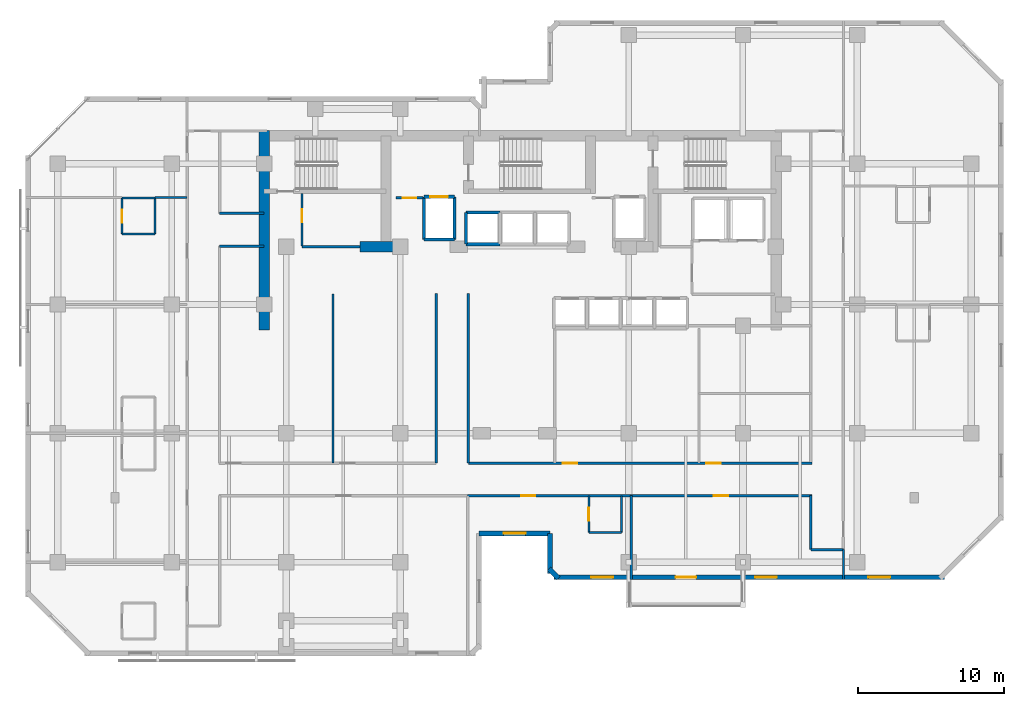
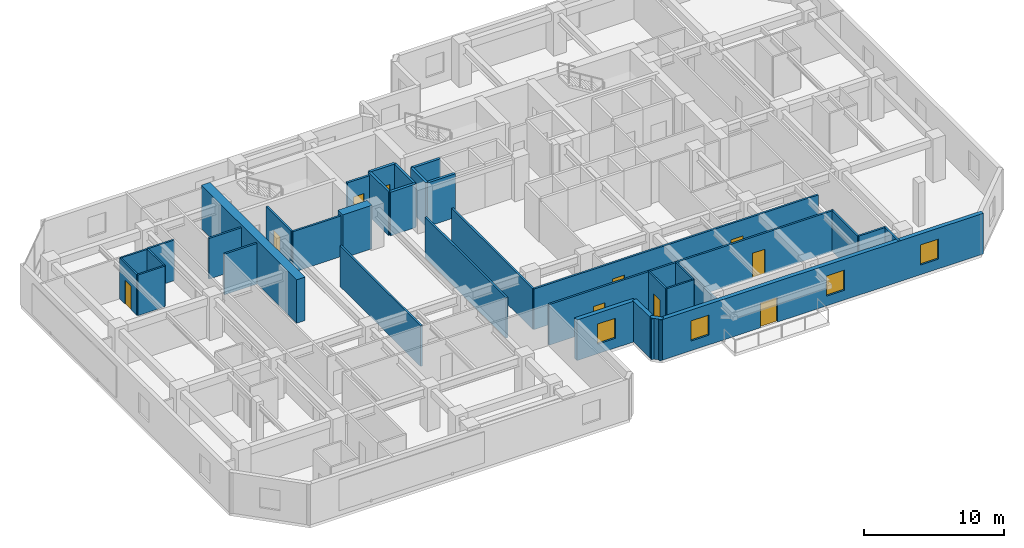
# One storey, part 6 of 11: 35 walls, 10 doors, 4 windows, 14 openings.
"""IFC4 building model written with IfcOpenShell, lengths in metres."""

from ifc_helpers import new_model, si_unit, direction, frame, frame_2d, origin, place, context, subcontext, project, spatial, rectangle, extrude, material, layer, layer_set, type_object, element, fill, save


model = new_model("IFC4")

# Units and contexts
model_context = context("Model", 3, precision=1e-05, world=origin(), true_north=direction((0.0, 1.0)))
body_context = subcontext(model_context, "Body", "Model", "MODEL_VIEW")
ifc_project = project(units=[si_unit("LENGTHUNIT", "METRE"), si_unit("AREAUNIT", "SQUARE_METRE"), si_unit("VOLUMEUNIT", "CUBIC_METRE"), si_unit("PLANEANGLEUNIT", "RADIAN"), si_unit("MASSUNIT", "GRAM", prefix="KILO")], contexts=[model_context])

# Site, building, storey
site_placement = place(None, origin())
site = spatial("IfcSite", under=ifc_project, at=site_placement, CompositionType="ELEMENT")
building_placement = place(site_placement, origin())
building = spatial("IfcBuilding", under=site, at=building_placement, Name="Kestravale Grand Hotel", CompositionType="ELEMENT")
storey_placement = place(building_placement, frame((0.0, 0.0, 157.39990234375)))
storey = spatial("IfcBuildingStorey", under=building, at=storey_placement, Name="L39", CompositionType="ELEMENT", Elevation=157.39990234375)

# Walls
ifc_material_1 = material(Name="Concrete f'c 60 MPa", Category="concrete")
ifc_layer_1 = layer(ifc_material_1, 0.699951171875)
ifc_layer_set_1 = layer_set([ifc_layer_1], Name="EW-CORE-700")
wall_type_1 = type_object("IfcWallType", Name="EW-CORE-700", PredefinedType="SHEAR", material=ifc_layer_set_1)
wall_1_placement = place(storey_placement, frame((21.89990234375, 27.050048828125, 0.0), z_axis=(0.0, 0.0, 1.0), x_axis=(0.0, 1.0, 0.0)))
element("IfcWall", 1, at=wall_1_placement, inside=storey, type_object=wall_type_1, Name="L39 core shear wall W1", PredefinedType="SHEAR", context=body_context, shape_type="SweptSolid", body=[
    extrude(rectangle(XDim=13.619873046875, YDim=0.699951171875, at=frame_2d((6.81005859375, 0.0))), origin(), (0.0, 0.0, 1.0), 3.800048828125),
])
wall_2_placement = place(storey_placement, frame((28.449951171875, 32.75, 0.0), z_axis=(0.0, 0.0, 1.0), x_axis=(1.0, 0.0, 0.0)))
element("IfcWall", 2, at=wall_2_placement, inside=storey, type_object=wall_type_1, Name="L39 core shear wall S1", PredefinedType="SHEAR", context=body_context, shape_type="SweptSolid", body=[
    extrude(rectangle(XDim=2.400146484375, YDim=0.699951171875, at=frame_2d((1.2001953125, 0.0))), origin(), (0.0, 0.0, 1.0), 3.800048828125),
])

# Wall, opening, window
ifc_material_2 = material(Name="Precast concrete f'c 45 MPa", Category="concrete")
ifc_layer_2 = layer(ifc_material_2, 0.340087890625)
ifc_layer_set_2 = layer_set([ifc_layer_2], Name="EW-PREC-340")
wall_type_2 = type_object("IfcWallType", Name="EW-PREC-340", PredefinedType="SOLIDWALL", material=ifc_layer_set_2)
wall_3_placement = place(storey_placement, frame((36.580078125, 13.169921875, 0.0), z_axis=(0.0, 0.0, 1.0), x_axis=(1.0, 0.0, 0.0)))
wall_3 = element("IfcWall", 3, at=wall_3_placement, inside=storey, type_object=wall_type_2, Name="L39 fluted precast facade wall 4", PredefinedType="SOLIDWALL", context=body_context, shape_type="SweptSolid", body=[
    extrude(rectangle(XDim=4.83984375, YDim=0.340087890625, at=frame_2d((2.419921875, 0.0))), origin(), (0.0, 0.0, 1.0), 3.550048828125),
])
opening_1_placement = place(wall_3_placement, frame((1.669921875, 0.0, 0.85009765625)))
opening_1 = element("IfcOpeningElement", 4, at=opening_1_placement, cuts=wall_3, Name="Opening W-GUEST-1500", PredefinedType="OPENING", context=body_context, shape_type="SweptSolid", body=[
    extrude(rectangle(XDim=1.5, YDim=1.75, at=frame_2d((0.75, 0.875))), frame((0.0, 0.179931640625, 0.0), z_axis=(0.0, -1.0, 0.0), x_axis=(1.0, 0.0, 0.0)), (0.0, 0.0, 1.0), 0.360107421875),
])
ifc_material_3 = material(Name="Insulated low-E double glazing in aluminium frame", Category="aluminium")
window_type = type_object("IfcWindowType", Name="W-GUEST-1500", PartitioningType="SINGLE_PANEL", PredefinedType="WINDOW", material=ifc_material_3)
window_1_placement = place(opening_1_placement, origin())
window_1 = element("IfcWindow", 5, at=window_1_placement, inside=storey, type_object=window_type, Name="L39 exterior window 4.1", OverallHeight=1.75, OverallWidth=1.5, PartitioningType="SINGLE_PANEL", PredefinedType="WINDOW", context=body_context, shape_type="SweptSolid", body=[
    extrude(rectangle(XDim=1.5, YDim=1.75, at=frame_2d((0.75, 0.875))), frame((0.0, 0.030029296875, 0.0), z_axis=(0.0, -1.0, 0.0), x_axis=(1.0, 0.0, 0.0)), (0.0, 0.0, 1.0), 0.06005859375),
])
fill(opening_1, window_1)

# Walls
wall_4_placement = place(storey_placement, frame((41.419921875, 13.169921875, 0.0), z_axis=(0.0, 0.0, 1.0), x_axis=(0.0, -1.0, 0.0)))
element("IfcWall", 6, at=wall_4_placement, inside=storey, type_object=wall_type_2, Name="L39 fluted precast facade wall 5", PredefinedType="SOLIDWALL", context=body_context, shape_type="SweptSolid", body=[
    extrude(rectangle(XDim=2.739990234375, YDim=0.340087890625, at=frame_2d((1.3701171875, 0.0))), origin(), (0.0, 0.0, 1.0), 3.550048828125),
])
wall_5_placement = place(storey_placement, frame((41.341796875, 10.74853515625, 0.0), z_axis=(0.0, 0.0, 1.0), x_axis=(0.707106781187, -0.707106781187, 0.0)))
element("IfcWall", 7, at=wall_5_placement, inside=storey, type_object=wall_type_2, Name="L39 fluted precast facade wall 6", PredefinedType="SOLIDWALL", context=body_context, shape_type="SweptSolid", body=[
    extrude(rectangle(XDim=0.9287109375, YDim=0.340087890625, at=frame_2d((0.46435546875, 0.0))), origin(), (0.0, 0.0, 1.0), 3.550048828125),
])

# Wall, openings, door, windows
wall_6_placement = place(storey_placement, frame((41.679931640625, 10.169921875, 0.0), z_axis=(0.0, 0.0, 1.0), x_axis=(1.0, 0.0, 0.0)))
wall_6 = element("IfcWall", 8, at=wall_6_placement, inside=storey, type_object=wall_type_2, Name="L39 fluted precast facade wall 7", PredefinedType="SOLIDWALL", context=body_context, shape_type="SweptSolid", body=[
    extrude(rectangle(XDim=26.690185546875, YDim=0.340087890625, at=frame_2d((13.34521484375, 0.0))), origin(), (0.0, 0.0, 1.0), 3.550048828125),
])
opening_2_placement = place(wall_6_placement, frame((8.320068359375, 0.0, 0.0)))
opening_2 = element("IfcOpeningElement", 9, at=opening_2_placement, cuts=wall_6, Name="Opening D-TERR-1400", PredefinedType="OPENING", context=body_context, shape_type="SweptSolid", body=[
    extrude(rectangle(XDim=1.39990234375, YDim=2.14990234375, at=frame_2d((0.699951171875, 1.074951171875))), frame((0.0, 0.179931640625, 0.0), z_axis=(0.0, -1.0, 0.0), x_axis=(1.0, 0.0, 0.0)), (0.0, 0.0, 1.0), 0.360107421875),
])
opening_3_placement = place(wall_6_placement, frame((2.54833984375, 0.0, 0.85009765625)))
opening_3 = element("IfcOpeningElement", 10, at=opening_3_placement, cuts=wall_6, Name="Opening W-GUEST-1500", PredefinedType="OPENING", context=body_context, shape_type="SweptSolid", body=[
    extrude(rectangle(XDim=1.5, YDim=1.75, at=frame_2d((0.75, 0.875))), frame((0.0, 0.179931640625, 0.0), z_axis=(0.0, -1.0, 0.0), x_axis=(1.0, 0.0, 0.0)), (0.0, 0.0, 1.0), 0.360107421875),
])
opening_4_placement = place(wall_6_placement, frame((13.7451171875, 0.0, 0.85009765625)))
opening_4 = element("IfcOpeningElement", 11, at=opening_4_placement, cuts=wall_6, Name="Opening W-GUEST-1500", PredefinedType="OPENING", context=body_context, shape_type="SweptSolid", body=[
    extrude(rectangle(XDim=1.5, YDim=1.75, at=frame_2d((0.75, 0.875))), frame((0.0, 0.179931640625, 0.0), z_axis=(0.0, -1.0, 0.0), x_axis=(1.0, 0.0, 0.0)), (0.0, 0.0, 1.0), 0.360107421875),
])
opening_5_placement = place(wall_6_placement, frame((21.49169921875, 0.0, 0.85009765625)))
opening_5 = element("IfcOpeningElement", 12, at=opening_5_placement, cuts=wall_6, Name="Opening W-GUEST-1500", PredefinedType="OPENING", context=body_context, shape_type="SweptSolid", body=[
    extrude(rectangle(XDim=1.5, YDim=1.75, at=frame_2d((0.75, 0.875))), frame((0.0, 0.179931640625, 0.0), z_axis=(0.0, -1.0, 0.0), x_axis=(1.0, 0.0, 0.0)), (0.0, 0.0, 1.0), 0.360107421875),
])
ifc_material_4 = material(Name="Insulated glazed champagne-bronze aluminium door", Category="aluminium")
door_type_1 = type_object("IfcDoorType", Name="D-TERR-1400", OperationType="NOTDEFINED", PredefinedType="DOOR", material=ifc_material_4)
door_1_placement = place(opening_2_placement, origin())
door_1 = element("IfcDoor", 13, at=door_1_placement, inside=storey, type_object=door_type_1, Name="L39 outdoor garden terrace door", OperationType="DOUBLE_DOOR_SINGLE_SWING", OverallHeight=2.14990234375, OverallWidth=1.39990234375, PredefinedType="DOOR", context=body_context, shape_type="SweptSolid", body=[
    extrude(rectangle(XDim=1.39990234375, YDim=2.14990234375, at=frame_2d((0.699951171875, 1.074951171875))), frame((0.0, 0.02490234375, 0.0), z_axis=(0.0, -1.0, 0.0), x_axis=(1.0, 0.0, 0.0)), (0.0, 0.0, 1.0), 0.050048828125),
])
fill(opening_2, door_1)
window_2_placement = place(opening_3_placement, origin())
window_2 = element("IfcWindow", 14, at=window_2_placement, inside=storey, type_object=window_type, Name="L39 exterior window 7.1", OverallHeight=1.75, OverallWidth=1.5, PartitioningType="SINGLE_PANEL", PredefinedType="WINDOW", context=body_context, shape_type="SweptSolid", body=[
    extrude(rectangle(XDim=1.5, YDim=1.75, at=frame_2d((0.75, 0.875))), frame((0.0, 0.030029296875, 0.0), z_axis=(0.0, -1.0, 0.0), x_axis=(1.0, 0.0, 0.0)), (0.0, 0.0, 1.0), 0.06005859375),
])
fill(opening_3, window_2)
window_3_placement = place(opening_4_placement, origin())
window_3 = element("IfcWindow", 15, at=window_3_placement, inside=storey, type_object=window_type, Name="L39 exterior window 7.2", OverallHeight=1.75, OverallWidth=1.5, PartitioningType="SINGLE_PANEL", PredefinedType="WINDOW", context=body_context, shape_type="SweptSolid", body=[
    extrude(rectangle(XDim=1.5, YDim=1.75, at=frame_2d((0.75, 0.875))), frame((0.0, 0.030029296875, 0.0), z_axis=(0.0, -1.0, 0.0), x_axis=(1.0, 0.0, 0.0)), (0.0, 0.0, 1.0), 0.06005859375),
])
fill(opening_4, window_3)
window_4_placement = place(opening_5_placement, origin())
window_4 = element("IfcWindow", 16, at=window_4_placement, inside=storey, type_object=window_type, Name="L39 exterior window 7.3", OverallHeight=1.75, OverallWidth=1.5, PartitioningType="SINGLE_PANEL", PredefinedType="WINDOW", context=body_context, shape_type="SweptSolid", body=[
    extrude(rectangle(XDim=1.5, YDim=1.75, at=frame_2d((0.75, 0.875))), frame((0.0, 0.030029296875, 0.0), z_axis=(0.0, -1.0, 0.0), x_axis=(1.0, 0.0, 0.0)), (0.0, 0.0, 1.0), 0.06005859375),
])
fill(opening_5, window_4)

# Wall, opening, door
ifc_material_5 = material(Name="Acoustic fire-rated gypsum board partition", Category="other")
ifc_layer_3 = layer(ifc_material_5, 0.159912109375)
ifc_layer_set_3 = layer_set([ifc_layer_3], Name="IW-CORR-160")
wall_type_3 = type_object("IfcWallType", Name="IW-CORR-160", PredefinedType="PARTITIONING", material=ifc_layer_set_3)
wall_7_placement = place(storey_placement, frame((24.47998046875, 32.800048828125, 0.0), z_axis=(0.0, 0.0, 1.0), x_axis=(0.0, 1.0, 0.0)))
wall_7 = element("IfcWall", 17, at=wall_7_placement, inside=storey, type_object=wall_type_3, Name="L39 west core vestibule wall", PredefinedType="PARTITIONING", context=body_context, shape_type="SweptSolid", body=[
    extrude(rectangle(XDim=3.570068359375, YDim=0.159912109375, at=frame_2d((1.78515625, 0.0))), origin(), (0.0, 0.0, 1.0), 3.550048828125),
])
opening_6_placement = place(wall_7_placement, frame((1.603515625, 0.0, 0.0)))
opening_6 = element("IfcOpeningElement", 18, at=opening_6_placement, cuts=wall_7, Name="Opening D-SH-900", PredefinedType="OPENING", context=body_context, shape_type="SweptSolid", body=[
    extrude(rectangle(XDim=0.89990234375, YDim=2.10009765625, at=frame_2d((0.449951171875, 1.050048828125))), frame((0.0, 0.08984375, 0.0), z_axis=(0.0, -1.0, 0.0), x_axis=(1.0, 0.0, 0.0)), (0.0, 0.0, 1.0), 0.179931640625),
])
ifc_material_6 = material(Name="Galvanised 90-minute shaft and service fire door", Category="steel")
door_type_2 = type_object("IfcDoorType", Name="D-SH-900", OperationType="NOTDEFINED", PredefinedType="DOOR", material=ifc_material_6)
door_2_placement = place(opening_6_placement, origin())
door_2 = element("IfcDoor", 19, at=door_2_placement, inside=storey, type_object=door_type_2, Name="D-L39-HK", OperationType="SINGLE_SWING_RIGHT", OverallHeight=2.10009765625, OverallWidth=0.89990234375, PredefinedType="DOOR", context=body_context, shape_type="SweptSolid", body=[
    extrude(rectangle(XDim=0.89990234375, YDim=2.10009765625, at=frame_2d((0.449951171875, 1.050048828125))), frame((0.0, 0.02490234375, 0.0), z_axis=(0.0, -1.0, 0.0), x_axis=(1.0, 0.0, 0.0)), (0.0, 0.0, 1.0), 0.050048828125),
])
fill(opening_6, door_2)

# Wall
wall_8_placement = place(storey_placement, frame((24.47998046875, 32.75, 0.0), z_axis=(0.0, 0.0, 1.0), x_axis=(1.0, 0.0, 0.0)))
element("IfcWall", 20, at=wall_8_placement, inside=storey, type_object=wall_type_3, Name="W-L39-CWS", PredefinedType="PARTITIONING", context=body_context, shape_type="SweptSolid", body=[
    extrude(rectangle(XDim=3.969970703125, YDim=0.159912109375, at=frame_2d((1.98486328125, 0.0))), origin(), (0.0, 0.0, 1.0), 3.550048828125),
])

# Wall, openings, doors
wall_9_placement = place(storey_placement, frame((35.85009765625, 17.9599609375, 0.0), z_axis=(0.0, 0.0, 1.0), x_axis=(1.0, 0.0, 0.0)))
wall_9 = element("IfcWall", 21, at=wall_9_placement, inside=storey, type_object=wall_type_3, Name="W-L39-CE-N", PredefinedType="PARTITIONING", context=body_context, shape_type="SweptSolid", body=[
    extrude(rectangle(XDim=23.449951171875, YDim=0.159912109375, at=frame_2d((11.72509765625, 0.0))), origin(), (0.0, 0.0, 1.0), 3.550048828125),
])
opening_7_placement = place(wall_9_placement, frame((6.449951171875, 0.0, 0.0)))
opening_7 = element("IfcOpeningElement", 22, at=opening_7_placement, cuts=wall_9, Name="Opening D-GUEST-1000", PredefinedType="OPENING", context=body_context, shape_type="SweptSolid", body=[
    extrude(rectangle(XDim=1.0, YDim=2.14990234375, at=frame_2d((0.5, 1.074951171875))), frame((0.0, 0.08984375, 0.0), z_axis=(0.0, -1.0, 0.0), x_axis=(1.0, 0.0, 0.0)), (0.0, 0.0, 1.0), 0.179931640625),
])
opening_8_placement = place(wall_9_placement, frame((16.25, 0.0, 0.0)))
opening_8 = element("IfcOpeningElement", 23, at=opening_8_placement, cuts=wall_9, Name="Opening D-GUEST-1000", PredefinedType="OPENING", context=body_context, shape_type="SweptSolid", body=[
    extrude(rectangle(XDim=1.0, YDim=2.14990234375, at=frame_2d((0.5, 1.074951171875))), frame((0.0, 0.08984375, 0.0), z_axis=(0.0, -1.0, 0.0), x_axis=(1.0, 0.0, 0.0)), (0.0, 0.0, 1.0), 0.179931640625),
])
ifc_material_7 = material(Name="Accessible walnut veneer hotel entrance fire door", Category="wood")
door_type_3 = type_object("IfcDoorType", Name="D-GUEST-1000", OperationType="NOTDEFINED", PredefinedType="DOOR", material=ifc_material_7)
door_3_placement = place(opening_7_placement, origin())
door_3 = element("IfcDoor", 24, at=door_3_placement, inside=storey, type_object=door_type_3, Name="D-L39-RECL-E1", OperationType="SINGLE_SWING_RIGHT", OverallHeight=2.14990234375, OverallWidth=1.0, PredefinedType="DOOR", context=body_context, shape_type="SweptSolid", body=[
    extrude(rectangle(XDim=1.0, YDim=2.14990234375, at=frame_2d((0.5, 1.074951171875))), frame((0.0, 0.02490234375, 0.0), z_axis=(0.0, -1.0, 0.0), x_axis=(1.0, 0.0, 0.0)), (0.0, 0.0, 1.0), 0.050048828125),
])
fill(opening_7, door_3)
door_4_placement = place(opening_8_placement, origin())
door_4 = element("IfcDoor", 25, at=door_4_placement, inside=storey, type_object=door_type_3, Name="D-L39-RECL-E2", OperationType="SINGLE_SWING_LEFT", OverallHeight=2.14990234375, OverallWidth=1.0, PredefinedType="DOOR", context=body_context, shape_type="SweptSolid", body=[
    extrude(rectangle(XDim=1.0, YDim=2.14990234375, at=frame_2d((0.5, 1.074951171875))), frame((0.0, 0.02490234375, 0.0), z_axis=(0.0, -1.0, 0.0), x_axis=(1.0, 0.0, 0.0)), (0.0, 0.0, 1.0), 0.050048828125),
])
fill(opening_8, door_4)

# Walls
for number, where, z_axis, x_axis, name in (
    (26, (33.64990234375, 17.9599609375, 0.0), (0.0, 0.0, 1.0), (0.0, 1.0, 0.0), "W-L39-TRUNK-W"),
    (27, (35.85009765625, 17.9599609375, 0.0), (0.0, 0.0, 1.0), (0.0, 1.0, 0.0), "W-L39-TRUNK-E"),
):
    element("IfcWall", number, at=place(storey_placement, frame(where, z_axis=z_axis, x_axis=x_axis)), inside=storey, type_object=wall_type_3, Name=name, PredefinedType="PARTITIONING", context=body_context, shape_type="SweptSolid", body=[
        extrude(rectangle(XDim=11.590087890625, YDim=0.159912109375, at=frame_2d((5.794921875, 0.0))), origin(), (0.0, 0.0, 1.0), 3.550048828125),
    ])

# Wall, openings, doors
wall_10_placement = place(storey_placement, frame((35.800048828125, 15.739990234375, 0.0), z_axis=(0.0, 0.0, 1.0), x_axis=(1.0, 0.0, 0.0)))
wall_10 = element("IfcWall", 28, at=wall_10_placement, inside=storey, type_object=wall_type_3, Name="W-L39-CE-S", PredefinedType="PARTITIONING", context=body_context, shape_type="SweptSolid", body=[
    extrude(rectangle(XDim=23.5, YDim=0.159912109375, at=frame_2d((11.75, 0.0))), origin(), (0.0, 0.0, 1.0), 3.550048828125),
])
opening_9_placement = place(wall_10_placement, frame((3.659912109375, 0.0, 0.0)))
opening_9 = element("IfcOpeningElement", 29, at=opening_9_placement, cuts=wall_10, Name="Opening D-GUEST-950", PredefinedType="OPENING", context=body_context, shape_type="SweptSolid", body=[
    extrude(rectangle(XDim=0.949951171875, YDim=2.10009765625, at=frame_2d((0.47509765625, 1.050048828125))), frame((0.0, 0.08984375, 0.0), z_axis=(0.0, -1.0, 0.0), x_axis=(1.0, 0.0, 0.0)), (0.0, 0.0, 1.0), 0.179931640625),
])
opening_10_placement = place(wall_10_placement, frame((16.804931640625, 0.0, 0.0)))
opening_10 = element("IfcOpeningElement", 30, at=opening_10_placement, cuts=wall_10, Name="Opening D-GUEST-1000", PredefinedType="OPENING", context=body_context, shape_type="SweptSolid", body=[
    extrude(rectangle(XDim=1.0, YDim=2.14990234375, at=frame_2d((0.5, 1.074951171875))), frame((0.0, 0.08984375, 0.0), z_axis=(0.0, -1.0, 0.0), x_axis=(1.0, 0.0, 0.0)), (0.0, 0.0, 1.0), 0.179931640625),
])
door_5_placement = place(opening_10_placement, origin())
door_5 = element("IfcDoor", 31, at=door_5_placement, inside=storey, type_object=door_type_3, Name="D-L39-AME", OperationType="SINGLE_SWING_LEFT", OverallHeight=2.14990234375, OverallWidth=1.0, PredefinedType="DOOR", context=body_context, shape_type="SweptSolid", body=[
    extrude(rectangle(XDim=1.0, YDim=2.14990234375, at=frame_2d((0.5, 1.074951171875))), frame((0.0, 0.02490234375, 0.0), z_axis=(0.0, -1.0, 0.0), x_axis=(1.0, 0.0, 0.0)), (0.0, 0.0, 1.0), 0.050048828125),
])
fill(opening_10, door_5)
ifc_material_8 = material(Name="Walnut veneer hotel guestroom entrance fire door", Category="wood")
door_type_4 = type_object("IfcDoorType", Name="D-GUEST-950", OperationType="NOTDEFINED", PredefinedType="DOOR", material=ifc_material_8)
door_6_placement = place(opening_9_placement, origin())
door_6 = element("IfcDoor", 32, at=door_6_placement, inside=storey, type_object=door_type_4, Name="D-L39-U01-ENT", OperationType="SINGLE_SWING_RIGHT", OverallHeight=2.10009765625, OverallWidth=0.949951171875, PredefinedType="DOOR", context=body_context, shape_type="SweptSolid", body=[
    extrude(rectangle(XDim=0.949951171875, YDim=2.10009765625, at=frame_2d((0.47509765625, 1.050048828125))), frame((0.0, 0.02490234375, 0.0), z_axis=(0.0, -1.0, 0.0), x_axis=(1.0, 0.0, 0.0)), (0.0, 0.0, 1.0), 0.050048828125),
])
fill(opening_9, door_6)

# Walls
for number, where, z_axis, x_axis, name in (
    (33, (18.860107421875, 35.02001953125, 0.0), (0.0, 0.0, 1.0), (1.0, 0.0, 0.0), "W-L39-SW-CN"),
    (34, (18.860107421875, 32.780029296875, 0.0), (0.0, 0.0, 1.0), (1.0, 0.0, 0.0), "W-L39-SW-CS"),
):
    element("IfcWall", number, at=place(storey_placement, frame(where, z_axis=z_axis, x_axis=x_axis)), inside=storey, type_object=wall_type_3, Name=name, PredefinedType="PARTITIONING", context=body_context, shape_type="SweptSolid", body=[
        extrude(rectangle(XDim=3.039794921875, YDim=0.159912109375, at=frame_2d((1.52001953125, 0.0))), origin(), (0.0, 0.0, 1.0), 3.550048828125),
    ])
wall_11_placement = place(storey_placement, frame((59.239990234375, 12.050048828125, 0.0), z_axis=(0.0, 0.0, 1.0), x_axis=(0.0, 1.0, 0.0)))
element("IfcWall", 35, at=wall_11_placement, inside=storey, type_object=wall_type_3, Name="W-L39-SE-W", PredefinedType="PARTITIONING", context=body_context, shape_type="SweptSolid", body=[
    extrude(rectangle(XDim=3.68994140625, YDim=0.159912109375, at=frame_2d((1.844970703125, 0.0))), origin(), (0.0, 0.0, 1.0), 3.550048828125),
])

# Wall, opening, door
ifc_material_9 = material(Name="Fire-rated gypsum board on steel studs with mineral wool", Category="steel")
ifc_layer_4 = layer(ifc_material_9, 0.179931640625)
ifc_layer_set_4 = layer_set([ifc_layer_4], Name="IW-FSAE-180")
wall_type_4 = type_object("IfcWallType", Name="IW-FSAE-180", PredefinedType="PARTITIONING", material=ifc_layer_set_4)
wall_12_placement = place(storey_placement, frame((30.89990234375, 36.080078125, 0.0), z_axis=(0.0, 0.0, 1.0), x_axis=(1.0, 0.0, 0.0)))
wall_12 = element("IfcWall", 36, at=wall_12_placement, inside=storey, type_object=wall_type_4, Name="L39 FSAE Lobby 1 smoke barrier", PredefinedType="PARTITIONING", context=body_context, shape_type="SweptSolid", body=[
    extrude(rectangle(XDim=1.85009765625, YDim=0.179931640625, at=frame_2d((0.925048828125, 0.0))), origin(), (0.0, 0.0, 1.0), 3.550048828125),
])
opening_11_placement = place(wall_12_placement, frame((0.47998046875, 0.0, 0.0)))
opening_11 = element("IfcOpeningElement", 37, at=opening_11_placement, cuts=wall_12, Name="Opening D-FSAE-1000", PredefinedType="OPENING", context=body_context, shape_type="SweptSolid", body=[
    extrude(rectangle(XDim=0.89990234375, YDim=2.14990234375, at=frame_2d((0.449951171875, 1.074951171875))), frame((0.0, 0.099853515625, 0.0), z_axis=(0.0, -1.0, 0.0), x_axis=(1.0, 0.0, 0.0)), (0.0, 0.0, 1.0), 0.199951171875),
])
ifc_material_10 = material(Name="Smoke-gasketed FSAE lobby fire door", Category="steel")
door_type_5 = type_object("IfcDoorType", Name="D-FSAE-1000", OperationType="NOTDEFINED", PredefinedType="DOOR", material=ifc_material_10)
door_7_placement = place(opening_11_placement, origin())
door_7 = element("IfcDoor", 38, at=door_7_placement, inside=storey, type_object=door_type_5, Name="L39 FSAE Lobby 1 fire door", OperationType="SINGLE_SWING_RIGHT", OverallHeight=2.14990234375, OverallWidth=0.89990234375, PredefinedType="DOOR", context=body_context, shape_type="SweptSolid", body=[
    extrude(rectangle(XDim=0.89990234375, YDim=2.14990234375, at=frame_2d((0.449951171875, 1.074951171875))), frame((0.0, 0.02490234375, 0.0), z_axis=(0.0, -1.0, 0.0), x_axis=(1.0, 0.0, 0.0)), (0.0, 0.0, 1.0), 0.050048828125),
])
fill(opening_11, door_7)

ifc_material_11 = material(Name="Moisture-resistant tile-backer plumbing chase wall", Category="other")
ifc_layer_5 = layer(ifc_material_11, 0.139892578125)
ifc_layer_set_5 = layer_set([ifc_layer_5], Name="IW-PLB-140")
wall_type_5 = type_object("IfcWallType", Name="IW-PLB-140", PredefinedType="PLUMBINGWALL", material=ifc_layer_set_5)
wall_13_placement = place(storey_placement, frame((44.070068359375, 13.22998046875, 0.0), z_axis=(0.0, 0.0, 1.0), x_axis=(0.0, 1.0, 0.0)))
wall_13 = element("IfcWall", 39, at=wall_13_placement, inside=storey, type_object=wall_type_5, Name="W-L39-U01-BW", PredefinedType="PLUMBINGWALL", context=body_context, shape_type="SweptSolid", body=[
    extrude(rectangle(XDim=2.489990234375, YDim=0.139892578125, at=frame_2d((1.2451171875, 0.0))), origin(), (0.0, 0.0, 1.0), 3.550048828125),
])
opening_12_placement = place(wall_13_placement, frame((0.804931640625, 0.0, 0.0)))
opening_12 = element("IfcOpeningElement", 40, at=opening_12_placement, cuts=wall_13, Name="Opening D-BATH-880", PredefinedType="OPENING", context=body_context, shape_type="SweptSolid", body=[
    extrude(rectangle(XDim=0.8798828125, YDim=2.050048828125, at=frame_2d((0.43994140625, 1.02490234375))), frame((0.0, 0.079833984375, 0.0), z_axis=(0.0, -1.0, 0.0), x_axis=(1.0, 0.0, 0.0)), (0.0, 0.0, 1.0), 0.159912109375),
])
ifc_material_12 = material(Name="Moisture-sealed walnut en-suite bathroom door", Category="wood")
door_type_6 = type_object("IfcDoorType", Name="D-BATH-880", OperationType="NOTDEFINED", PredefinedType="DOOR", material=ifc_material_12)
door_8_placement = place(opening_12_placement, origin())
door_8 = element("IfcDoor", 41, at=door_8_placement, inside=storey, type_object=door_type_6, Name="D-L39-U01-BATH", OperationType="SINGLE_SWING_LEFT", OverallHeight=2.050048828125, OverallWidth=0.8798828125, PredefinedType="DOOR", context=body_context, shape_type="SweptSolid", body=[
    extrude(rectangle(XDim=0.8798828125, YDim=2.050048828125, at=frame_2d((0.43994140625, 1.02490234375))), frame((0.0, 0.02490234375, 0.0), z_axis=(0.0, -1.0, 0.0), x_axis=(1.0, 0.0, 0.0)), (0.0, 0.0, 1.0), 0.050048828125),
])
fill(opening_12, door_8)

# Walls
wall_14_placement = place(storey_placement, frame((46.320068359375, 13.22998046875, 0.0), z_axis=(0.0, 0.0, 1.0), x_axis=(0.0, 1.0, 0.0)))
element("IfcWall", 42, at=wall_14_placement, inside=storey, type_object=wall_type_5, Name="W-L39-U01-BE", PredefinedType="PLUMBINGWALL", context=body_context, shape_type="SweptSolid", body=[
    extrude(rectangle(XDim=2.489990234375, YDim=0.139892578125, at=frame_2d((1.2451171875, 0.0))), origin(), (0.0, 0.0, 1.0), 3.550048828125),
])
wall_15_placement = place(storey_placement, frame((44.070068359375, 13.22998046875, 0.0), z_axis=(0.0, 0.0, 1.0), x_axis=(1.0, 0.0, 0.0)))
element("IfcWall", 43, at=wall_15_placement, inside=storey, type_object=wall_type_5, Name="W-L39-U01-BS", PredefinedType="PLUMBINGWALL", context=body_context, shape_type="SweptSolid", body=[
    extrude(rectangle(XDim=2.25, YDim=0.139892578125, at=frame_2d((1.125, 0.0))), origin(), (0.0, 0.0, 1.0), 3.550048828125),
])

# Wall, opening, door
wall_16_placement = place(storey_placement, frame((12.199951171875, 33.610107421875, 0.0), z_axis=(0.0, 0.0, 1.0), x_axis=(0.0, 1.0, 0.0)))
wall_16 = element("IfcWall", 44, at=wall_16_placement, inside=storey, type_object=wall_type_5, Name="W-L39-U05-BW", PredefinedType="PLUMBINGWALL", context=body_context, shape_type="SweptSolid", body=[
    extrude(rectangle(XDim=2.449951171875, YDim=0.139892578125, at=frame_2d((1.22509765625, 0.0))), origin(), (0.0, 0.0, 1.0), 3.550048828125),
])
opening_13_placement = place(wall_16_placement, frame((0.784912109375, 0.0, 0.0)))
opening_13 = element("IfcOpeningElement", 45, at=opening_13_placement, cuts=wall_16, Name="Opening D-BATH-880", PredefinedType="OPENING", context=body_context, shape_type="SweptSolid", body=[
    extrude(rectangle(XDim=0.8798828125, YDim=2.050048828125, at=frame_2d((0.43994140625, 1.02490234375))), frame((0.0, 0.079833984375, 0.0), z_axis=(0.0, -1.0, 0.0), x_axis=(1.0, 0.0, 0.0)), (0.0, 0.0, 1.0), 0.159912109375),
])
door_9_placement = place(opening_13_placement, origin())
door_9 = element("IfcDoor", 46, at=door_9_placement, inside=storey, type_object=door_type_6, Name="D-L39-U05-BATH", OperationType="SINGLE_SWING_RIGHT", OverallHeight=2.050048828125, OverallWidth=0.8798828125, PredefinedType="DOOR", context=body_context, shape_type="SweptSolid", body=[
    extrude(rectangle(XDim=0.8798828125, YDim=2.050048828125, at=frame_2d((0.43994140625, 1.02490234375))), frame((0.0, 0.02490234375, 0.0), z_axis=(0.0, -1.0, 0.0), x_axis=(1.0, 0.0, 0.0)), (0.0, 0.0, 1.0), 0.050048828125),
])
fill(opening_13, door_9)

# Walls
wall_17_placement = place(storey_placement, frame((14.449951171875, 33.610107421875, 0.0), z_axis=(0.0, 0.0, 1.0), x_axis=(0.0, 1.0, 0.0)))
element("IfcWall", 47, at=wall_17_placement, inside=storey, type_object=wall_type_5, Name="W-L39-U05-BE", PredefinedType="PLUMBINGWALL", context=body_context, shape_type="SweptSolid", body=[
    extrude(rectangle(XDim=2.449951171875, YDim=0.139892578125, at=frame_2d((1.22509765625, 0.0))), origin(), (0.0, 0.0, 1.0), 3.550048828125),
])
for number, where, z_axis, x_axis, name in (
    (48, (12.199951171875, 33.610107421875, 0.0), (0.0, 0.0, 1.0), (1.0, 0.0, 0.0), "W-L39-U05-BS"),
    (49, (12.199951171875, 36.06005859375, 0.0), (0.0, 0.0, 1.0), (1.0, 0.0, 0.0), "W-L39-U05-BN"),
):
    element("IfcWall", number, at=place(storey_placement, frame(where, z_axis=z_axis, x_axis=x_axis)), inside=storey, type_object=wall_type_5, Name=name, PredefinedType="PLUMBINGWALL", context=body_context, shape_type="SweptSolid", body=[
        extrude(rectangle(XDim=2.25, YDim=0.139892578125, at=frame_2d((1.125, 0.0))), origin(), (0.0, 0.0, 1.0), 3.550048828125),
    ])
ifc_material_13 = material(Name="Concrete f'c 45 MPa", Category="concrete")
ifc_layer_6 = layer(ifc_material_13, 0.199951171875)
ifc_layer_set_6 = layer_set([ifc_layer_6], Name="IW-SHAFT-200")
wall_type_6 = type_object("IfcWallType", Name="IW-SHAFT-200", PredefinedType="SHEAR", material=ifc_layer_set_6)
wall_18_placement = place(storey_placement, frame((35.679931640625, 32.919921875, 0.0), z_axis=(0.0, 0.0, 1.0), x_axis=(0.0, 1.0, 0.0)))
element("IfcWall", 50, at=wall_18_placement, inside=storey, type_object=wall_type_6, Name="L39 PL-X1 west shaft wall", PredefinedType="SHEAR", context=body_context, shape_type="SweptSolid", body=[
    extrude(rectangle(XDim=2.16015625, YDim=0.199951171875, at=frame_2d((1.080078125, 0.0))), origin(), (0.0, 0.0, 1.0), 3.800048828125),
])
for number, where, z_axis, x_axis, name in (
    (51, (32.804931640625, 33.2451171875, 0.0), (0.0, 0.0, 1.0), (0.0, 1.0, 0.0), "L39 FL-1 west shaft wall"),
    (52, (34.89501953125, 33.2451171875, 0.0), (0.0, 0.0, 1.0), (0.0, 1.0, 0.0), "L39 FL-1 east shaft wall"),
):
    element("IfcWall", number, at=place(storey_placement, frame(where, z_axis=z_axis, x_axis=x_axis)), inside=storey, type_object=wall_type_6, Name=name, PredefinedType="SHEAR", context=body_context, shape_type="SweptSolid", body=[
        extrude(rectangle(XDim=2.909912109375, YDim=0.199951171875, at=frame_2d((1.455078125, 0.0))), origin(), (0.0, 0.0, 1.0), 3.800048828125),
    ])
ifc_material_14 = material(Name="Concrete f'c 45 MPa", Category="concrete")
ifc_layer_7 = layer(ifc_material_14, 0.219970703125)
ifc_layer_set_7 = layer_set([ifc_layer_7], Name="IW-SHAFT-220")
wall_type_7 = type_object("IfcWallType", Name="IW-SHAFT-220", PredefinedType="SHEAR", material=ifc_layer_set_7)
for number, where, z_axis, x_axis, name in (
    (53, (35.679931640625, 35.080078125, 0.0), (0.0, 0.0, 1.0), (1.0, 0.0, 0.0), "L39 PL-X1 north shaft wall"),
    (54, (35.679931640625, 32.919921875, 0.0), (0.0, 0.0, 1.0), (1.0, 0.0, 0.0), "L39 PL-X1 south shaft wall"),
):
    element("IfcWall", number, at=place(storey_placement, frame(where, z_axis=z_axis, x_axis=x_axis)), inside=storey, type_object=wall_type_7, Name=name, PredefinedType="SHEAR", context=body_context, shape_type="SweptSolid", body=[
        extrude(rectangle(XDim=2.320068359375, YDim=0.219970703125, at=frame_2d((1.16015625, 0.0))), origin(), (0.0, 0.0, 1.0), 3.800048828125),
    ])

# Wall, opening, door
wall_19_placement = place(storey_placement, frame((32.804931640625, 36.155029296875, 0.0), z_axis=(0.0, 0.0, 1.0), x_axis=(1.0, 0.0, 0.0)))
wall_19 = element("IfcWall", 55, at=wall_19_placement, inside=storey, type_object=wall_type_7, Name="L39 FL-1 north shaft wall", PredefinedType="SHEAR", context=body_context, shape_type="SweptSolid", body=[
    extrude(rectangle(XDim=2.090087890625, YDim=0.219970703125, at=frame_2d((1.044921875, 0.0))), origin(), (0.0, 0.0, 1.0), 3.800048828125),
])
opening_14_placement = place(wall_19_placement, frame((0.445068359375, 0.0, 0.0)))
opening_14 = element("IfcOpeningElement", 56, at=opening_14_placement, cuts=wall_19, Name="Opening LD-FSAE-1200", PredefinedType="OPENING", context=body_context, shape_type="SweptSolid", body=[
    extrude(rectangle(XDim=1.199951171875, YDim=2.14990234375, at=frame_2d((0.60009765625, 1.074951171875))), frame((0.0, 0.119873046875, 0.0), z_axis=(0.0, -1.0, 0.0), x_axis=(1.0, 0.0, 0.0)), (0.0, 0.0, 1.0), 0.239990234375),
])
ifc_material_15 = material(Name="Stainless fire-service sliding elevator landing door", Category="steel")
door_type_7 = type_object("IfcDoorType", Name="LD-FSAE-1200", OperationType="NOTDEFINED", PredefinedType="DOOR", material=ifc_material_15)
door_10_placement = place(opening_14_placement, origin())
door_10 = element("IfcDoor", 57, at=door_10_placement, inside=storey, type_object=door_type_7, Name="L39 FL-1 elevator landing sliding door", OperationType="DOUBLE_DOOR_SLIDING", OverallHeight=2.14990234375, OverallWidth=1.199951171875, PredefinedType="DOOR", context=body_context, shape_type="SweptSolid", body=[
    extrude(rectangle(XDim=1.199951171875, YDim=2.14990234375, at=frame_2d((0.60009765625, 1.074951171875))), frame((0.0, 0.02490234375, 0.0), z_axis=(0.0, -1.0, 0.0), x_axis=(1.0, 0.0, 0.0)), (0.0, 0.0, 1.0), 0.050048828125),
])
fill(opening_14, door_10)

# Walls
wall_20_placement = place(storey_placement, frame((32.804931640625, 33.2451171875, 0.0), z_axis=(0.0, 0.0, 1.0), x_axis=(1.0, 0.0, 0.0)))
element("IfcWall", 58, at=wall_20_placement, inside=storey, type_object=wall_type_7, Name="L39 FL-1 south shaft wall", PredefinedType="SHEAR", context=body_context, shape_type="SweptSolid", body=[
    extrude(rectangle(XDim=2.090087890625, YDim=0.219970703125, at=frame_2d((1.044921875, 0.0))), origin(), (0.0, 0.0, 1.0), 3.800048828125),
])
ifc_material_16 = material(Name="Double-stud STC 52 acoustic demising partition", Category="other")
ifc_layer_8 = layer(ifc_material_16, 0.14990234375)
ifc_layer_set_8 = layer_set([ifc_layer_8], Name="IW-UNIT-150")
wall_type_8 = type_object("IfcWallType", Name="IW-UNIT-150", PredefinedType="PARTITIONING", material=ifc_layer_set_8)
wall_21_placement = place(storey_placement, frame((59.239990234375, 12.050048828125, 0.0), z_axis=(0.0, 0.0, 1.0), x_axis=(1.0, 0.0, 0.0)))
element("IfcWall", 59, at=wall_21_placement, inside=storey, type_object=wall_type_8, Name="W-L39-SE-S", PredefinedType="PARTITIONING", context=body_context, shape_type="SweptSolid", body=[
    extrude(rectangle(XDim=2.219970703125, YDim=0.14990234375, at=frame_2d((1.10986328125, 0.0))), origin(), (0.0, 0.0, 1.0), 3.550048828125),
])
wall_22_placement = place(storey_placement, frame((26.60009765625, 17.9599609375, 0.0), z_axis=(0.0, 0.0, 1.0), x_axis=(0.0, 1.0, 0.0)))
element("IfcWall", 60, at=wall_22_placement, inside=storey, type_object=wall_type_8, Name="W-L39-RCLW-M", PredefinedType="PARTITIONING", context=body_context, shape_type="SweptSolid", body=[
    extrude(rectangle(XDim=11.5400390625, YDim=0.14990234375, at=frame_2d((5.77001953125, 0.0))), origin(), (0.0, 0.0, 1.0), 3.550048828125),
])
wall_23_placement = place(storey_placement, frame((46.969970703125, 10.02001953125, 0.0), z_axis=(0.0, 0.0, 1.0), x_axis=(0.0, 1.0, 0.0)))
element("IfcWall", 61, at=wall_23_placement, inside=storey, type_object=wall_type_8, Name="W-L39-ES-1", PredefinedType="PARTITIONING", context=body_context, shape_type="SweptSolid", body=[
    extrude(rectangle(XDim=5.719970703125, YDim=0.14990234375, at=frame_2d((2.85986328125, 0.0))), origin(), (0.0, 0.0, 1.0), 2.900146484375),
])
wall_24_placement = place(storey_placement, frame((14.449951171875, 36.10009765625, 0.0), z_axis=(0.0, 0.0, 1.0), x_axis=(1.0, 0.0, 0.0)))
element("IfcWall", 62, at=wall_24_placement, inside=storey, type_object=wall_type_8, Name="W-L39-WW-4", PredefinedType="PARTITIONING", context=body_context, shape_type="SweptSolid", body=[
    extrude(rectangle(XDim=2.18994140625, YDim=0.14990234375, at=frame_2d((1.094970703125, 0.0))), origin(), (0.0, 0.0, 1.0), 3.550048828125),
])
wall_25_placement = place(storey_placement, frame((61.4599609375, 10.02001953125, 0.0), z_axis=(0.0, 0.0, 1.0), x_axis=(0.0, 1.0, 0.0)))
element("IfcWall", 63, at=wall_25_placement, inside=storey, type_object=wall_type_8, Name="W-L39-SE-EXT", PredefinedType="PARTITIONING", context=body_context, shape_type="SweptSolid", body=[
    extrude(rectangle(XDim=2.030029296875, YDim=0.14990234375, at=frame_2d((1.01513671875, 0.0))), origin(), (0.0, 0.0, 1.0), 3.550048828125),
])

save(model, "model.ifc")
